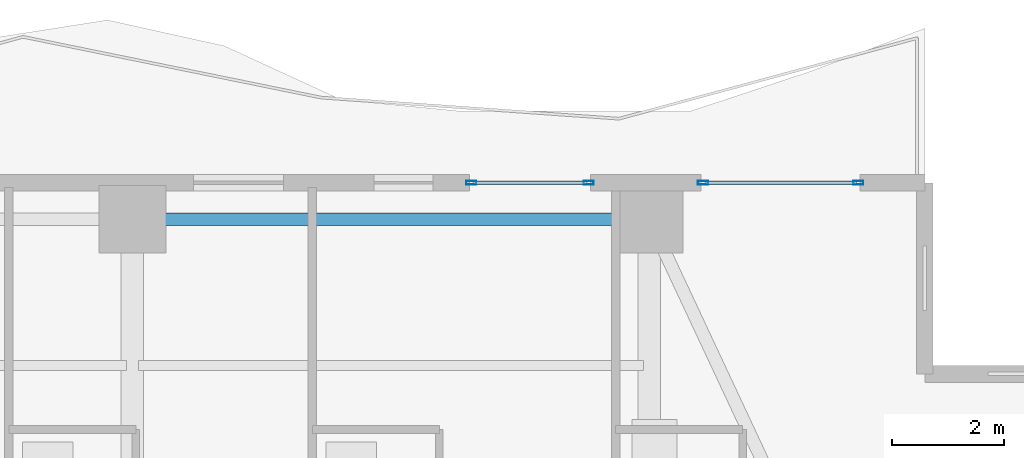
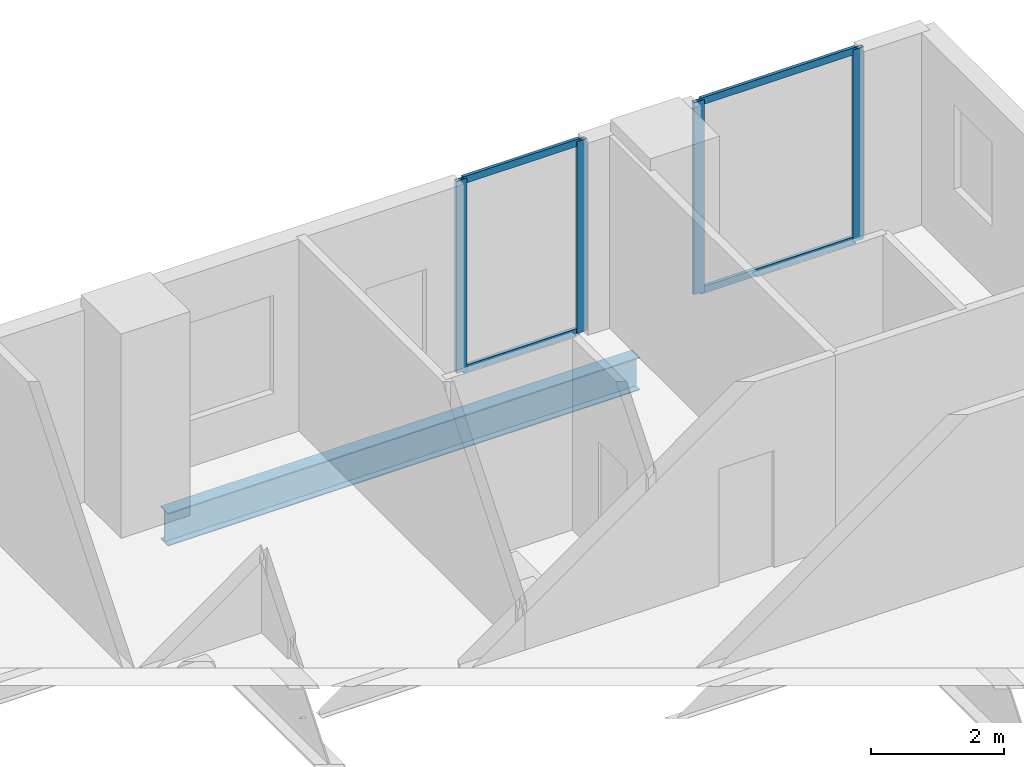
# One storey, part 22 of 33: 8 members, 1 beam, 2 elements without a shape of their own.
"""IFC4 building model written with IfcOpenShell, lengths in metres."""

from ifc_helpers import new_model, si_unit, direction, frame, origin, origin_2d, place, context, subcontext, project, spatial, hollow_rectangle, i_section, extrude, material, layer, layer_set, material_profile, profile_set, type_object, element, aggregate, save


model = new_model("IFC4")

# Units and contexts
model_context = context("Model", 3, precision=1e-05, world=origin(), true_north=direction((0.0, 1.0)))
body_context = subcontext(model_context, "Body", "Model", "MODEL_VIEW")
ifc_project = project(units=[si_unit("LENGTHUNIT", "METRE"), si_unit("AREAUNIT", "SQUARE_METRE"), si_unit("VOLUMEUNIT", "CUBIC_METRE"), si_unit("PLANEANGLEUNIT", "RADIAN"), si_unit("MASSUNIT", "GRAM", prefix="KILO")], contexts=[model_context])

# Site, building, storey
site_placement = place(None, origin())
site = spatial("IfcSite", under=ifc_project, at=site_placement, CompositionType="ELEMENT")
building_placement = place(site_placement, origin())
building = spatial("IfcBuilding", under=site, at=building_placement, Name="Zuhayl Quay Hotel", CompositionType="ELEMENT")
storey_placement = place(building_placement, frame((0.0, 0.0, 199.89990234375)))
storey = spatial("IfcBuildingStorey", under=building, at=storey_placement, Name="L50", CompositionType="ELEMENT", Elevation=199.89990234375)

# Beam
ifc_material_1 = material(Name="Steel ASTM A992 Grade 50", Category="steel")
ifc_material_profile_1 = material_profile(ifc_material_1, i_section(OverallWidth=0.22802734375, OverallDepth=0.60693359375, WebThickness=0.01123046875, FlangeThickness=0.017333984375, at=origin_2d()), Name="W24X76")
ifc_profile_set_1 = profile_set([ifc_material_profile_1], Name="Steel ASTM A992 Grade 50")
beam_type = type_object("IfcBeamType", Name="BM_B3_W24X76", PredefinedType="BEAM", material=ifc_profile_set_1)
beam_placement = place(storey_placement, frame((13.300048828125, 32.949951171875, -0.5234375), z_axis=(-1.0, 0.0, 0.0), x_axis=(0.0, -1.0, 0.0)))
element("IfcBeam", 1, at=beam_placement, inside=storey, type_object=beam_type, Name="L50 Floor Beam RG_L50_07", PredefinedType="BEAM", context=body_context, shape_type="SweptSolid", body=[
    extrude(i_section(OverallWidth=0.22802734375, OverallDepth=0.60693359375, WebThickness=0.01123046875, FlangeThickness=0.017333984375, at=origin_2d()), origin(), (0.0, 0.0, 1.0), 8.199951171875),
])

# Curtain wall, members
ifc_material_2 = material(Name="Anodised Aluminium 6063-T6", Category="aluminium")
ifc_layer = layer(ifc_material_2, 0.175048828125, Name="Anodised Aluminium 6063-T6", Category="aluminium")
ifc_layer_set = layer_set([ifc_layer], Name="Anodised Aluminium 6063-T6")
curtain_wall_type = type_object("IfcCurtainWallType", Name="CW_SYS_Z3", PredefinedType="USERDEFINED", material=ifc_layer_set)
curtain_wall_1_placement = place(storey_placement, origin())
curtain_wall_1 = element("IfcCurtainWall", 2, at=curtain_wall_1_placement, inside=storey, type_object=curtain_wall_type, Name="L50 Curtain Wall ENV_L50_N_CW3", ObjectType="UNITISED CURTAIN WALL", PredefinedType="USERDEFINED")
ifc_material_3 = material(Name="Black-anodised aluminium 6063-T6", Category="aluminium")
ifc_material_profile_2 = material_profile(ifc_material_3, hollow_rectangle(XDim=0.06494140625, YDim=0.179931640625, WallThickness=0.00341796875, at=origin_2d()), Name="ALU180X65")
ifc_profile_set_2 = profile_set([ifc_material_profile_2], Name="Black-anodised aluminium 6063-T6")
member_type_1 = type_object("IfcMemberType", Name="MB_CW_MUL_180", PredefinedType="MULLION", material=ifc_profile_set_2)
member_1_placement = place(storey_placement, frame((10.62744140625, 33.60009765625, 0.0), z_axis=(0.0, 0.0, 1.0), x_axis=(0.0, 1.0, 0.0)))
member_1 = element("IfcMember", 3, at=member_1_placement, type_object=member_type_1, Name="CW-Z3 mullion 1", PredefinedType="MULLION", context=body_context, shape_type="SweptSolid", body=[
    extrude(hollow_rectangle(XDim=0.06494140625, YDim=0.179931640625, WallThickness=0.00341796875, at=origin_2d()), origin(), (0.0, 0.0, 1.0), 3.530029296875),
])
member_2_placement = place(storey_placement, frame((12.717529296875, 33.60009765625, 0.0), z_axis=(0.0, 0.0, 1.0), x_axis=(0.0, 1.0, 0.0)))
member_2 = element("IfcMember", 4, at=member_2_placement, type_object=member_type_1, Name="CW-Z3 mullion 2", PredefinedType="MULLION", context=body_context, shape_type="SweptSolid", body=[
    extrude(hollow_rectangle(XDim=0.06494140625, YDim=0.179931640625, WallThickness=0.00341796875, at=origin_2d()), origin(), (0.0, 0.0, 1.0), 3.530029296875),
])

curtain_wall_2_placement = place(storey_placement, origin())
curtain_wall_2 = element("IfcCurtainWall", 5, at=curtain_wall_2_placement, inside=storey, type_object=curtain_wall_type, Name="L50 Curtain Wall ENV_L50_N_CW4", ObjectType="UNITISED CURTAIN WALL", PredefinedType="USERDEFINED")
member_3_placement = place(storey_placement, frame((14.75244140625, 33.60009765625, 0.0), z_axis=(0.0, 0.0, 1.0), x_axis=(0.0, 1.0, 0.0)))
member_3 = element("IfcMember", 6, at=member_3_placement, type_object=member_type_1, Name="CW-Z3 mullion 1", PredefinedType="MULLION", context=body_context, shape_type="SweptSolid", body=[
    extrude(hollow_rectangle(XDim=0.06494140625, YDim=0.179931640625, WallThickness=0.00341796875, at=origin_2d()), origin(), (0.0, 0.0, 1.0), 3.530029296875),
])
member_4_placement = place(storey_placement, frame((17.517578125, 33.60009765625, 0.0), z_axis=(0.0, 0.0, 1.0), x_axis=(0.0, 1.0, 0.0)))
member_4 = element("IfcMember", 7, at=member_4_placement, type_object=member_type_1, Name="CW-Z3 mullion 2", PredefinedType="MULLION", context=body_context, shape_type="SweptSolid", body=[
    extrude(hollow_rectangle(XDim=0.06494140625, YDim=0.179931640625, WallThickness=0.00341796875, at=origin_2d()), origin(), (0.0, 0.0, 1.0), 3.530029296875),
])

# Member
ifc_material_profile_3 = material_profile(ifc_material_3, hollow_rectangle(XDim=0.054931640625, YDim=0.1298828125, WallThickness=0.0029296875, at=origin_2d()), Name="ALU130X55")
ifc_profile_set_3 = profile_set([ifc_material_profile_3], Name="Black-anodised aluminium 6063-T6")
member_type_2 = type_object("IfcMemberType", Name="MB_CW_TRN_130", PredefinedType="USERDEFINED", material=ifc_profile_set_3)
member_5_placement = place(storey_placement, frame((10.659912109375, 33.60009765625, 0.027587890625), z_axis=(1.0, 0.0, 0.0), x_axis=(0.0, 1.0, 0.0)))
member_5 = element("IfcMember", 8, at=member_5_placement, type_object=member_type_2, Name="CW-Z3 transom 1.1", ObjectType="TRANSOM", PredefinedType="USERDEFINED", context=body_context, shape_type="SweptSolid", body=[
    extrude(hollow_rectangle(XDim=0.054931640625, YDim=0.1298828125, WallThickness=0.0029296875, at=origin_2d()), origin(), (0.0, 0.0, 1.0), 2.025146484375),
])

member_6_placement = place(storey_placement, frame((10.659912109375, 33.60009765625, 3.502685546875), z_axis=(1.0, 0.0, 0.0), x_axis=(0.0, 1.0, 0.0)))
member_6 = element("IfcMember", 9, at=member_6_placement, type_object=member_type_2, Name="CW-Z3 transom 1.2", ObjectType="TRANSOM", PredefinedType="USERDEFINED", context=body_context, shape_type="SweptSolid", body=[
    extrude(hollow_rectangle(XDim=0.054931640625, YDim=0.1298828125, WallThickness=0.0029296875, at=origin_2d()), origin(), (0.0, 0.0, 1.0), 2.025146484375),
])

aggregate(curtain_wall_1, [member_1, member_2, member_5, member_6])

member_7_placement = place(storey_placement, frame((14.784912109375, 33.60009765625, 0.027587890625), z_axis=(1.0, 0.0, 0.0), x_axis=(0.0, 1.0, 0.0)))
member_7 = element("IfcMember", 10, at=member_7_placement, type_object=member_type_2, Name="CW-Z3 transom 1.1", ObjectType="TRANSOM", PredefinedType="USERDEFINED", context=body_context, shape_type="SweptSolid", body=[
    extrude(hollow_rectangle(XDim=0.054931640625, YDim=0.1298828125, WallThickness=0.0029296875, at=origin_2d()), origin(), (0.0, 0.0, 1.0), 2.7001953125),
])

member_8_placement = place(storey_placement, frame((14.784912109375, 33.60009765625, 3.502685546875), z_axis=(1.0, 0.0, 0.0), x_axis=(0.0, 1.0, 0.0)))
member_8 = element("IfcMember", 11, at=member_8_placement, type_object=member_type_2, Name="CW-Z3 transom 1.2", ObjectType="TRANSOM", PredefinedType="USERDEFINED", context=body_context, shape_type="SweptSolid", body=[
    extrude(hollow_rectangle(XDim=0.054931640625, YDim=0.1298828125, WallThickness=0.0029296875, at=origin_2d()), origin(), (0.0, 0.0, 1.0), 2.7001953125),
])

aggregate(curtain_wall_2, [member_3, member_4, member_7, member_8])

save(model, "model.ifc")
